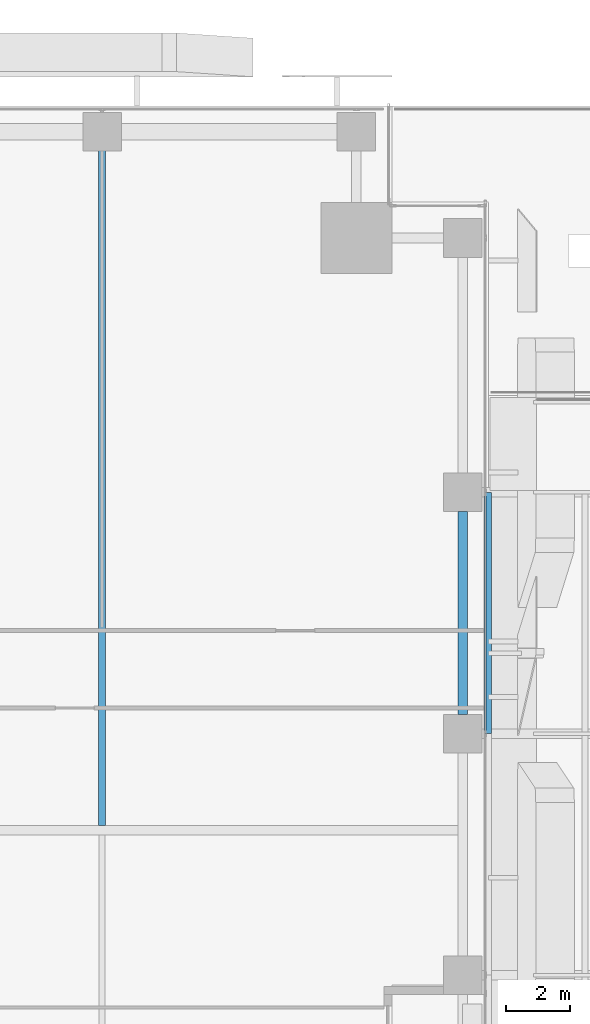
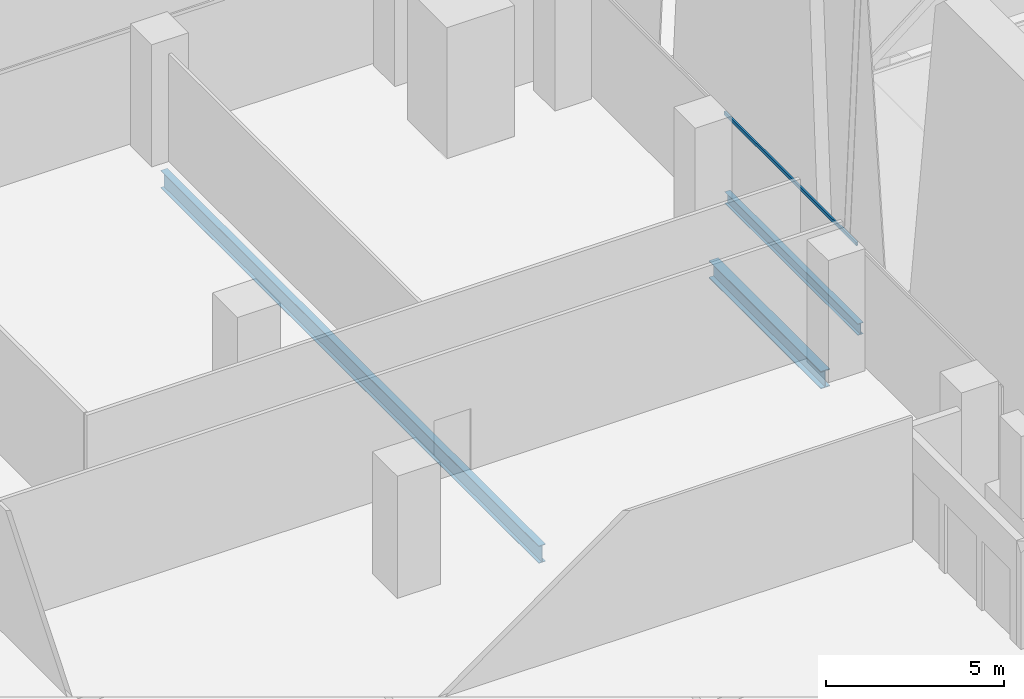
# One storey, part 19 of 46: 2 beams, 2 members, 1 element without a shape of its own.
"""IFC4 building model written with IfcOpenShell, lengths in metres."""

from ifc_helpers import new_model, si_unit, direction, frame, origin, origin_2d, place, context, subcontext, project, spatial, hollow_rectangle, i_section, extrude, source, transform, mapped, material, material_profile, profile_set, type_object, element, aggregate, save


model = new_model("IFC4")

# Units and contexts
model_context = context("Model", 3, precision=1e-05, world=origin(), true_north=direction((0.0, 1.0)))
body_context = subcontext(model_context, "Body", "Model", "MODEL_VIEW")
ifc_project = project(units=[si_unit("LENGTHUNIT", "METRE"), si_unit("AREAUNIT", "SQUARE_METRE"), si_unit("VOLUMEUNIT", "CUBIC_METRE"), si_unit("PLANEANGLEUNIT", "RADIAN"), si_unit("MASSUNIT", "GRAM", prefix="KILO")], contexts=[model_context])

# Site, building, storey
site_placement = place(None, origin())
site = spatial("IfcSite", under=ifc_project, at=site_placement, CompositionType="ELEMENT")
building_placement = place(site_placement, origin())
building = spatial("IfcBuilding", under=site, at=building_placement, Name="Khomas Fold Tower", CompositionType="ELEMENT")
storey_placement = place(building_placement, frame((0.0, 0.0, 33.0)))
storey = spatial("IfcBuildingStorey", under=building, at=storey_placement, Name="L06", CompositionType="ELEMENT", Elevation=33.0)

# Beams
ifc_material_1 = material(Name="Steel S355", Category="steel")
ifc_material_profile_1 = material_profile(ifc_material_1, i_section(OverallWidth=0.300048828125, OverallDepth=0.60009765625, WebThickness=0.015380859375, FlangeThickness=0.030029296875, at=origin_2d()), Name="HE 600 B")
ifc_profile_set_1 = profile_set([ifc_material_profile_1], Name="Steel S355")
beam_type_1 = type_object("IfcBeamType", Name="HE 600 B spandrel SB1", PredefinedType="SPANDREL", material=ifc_profile_set_1)
shared_shape_1 = source(origin(), body_context, "Body", "SweptSolid", [
    extrude(i_section(OverallWidth=0.300048828125, OverallDepth=0.60009765625, WebThickness=0.015380859375, FlangeThickness=0.030029296875, at=origin_2d()), origin(), (0.0, 0.0, 1.0), 6.2998046875),
])
beam_1_placement = place(storey_placement, frame((53.199951171875, 35.10009765625, -0.800048828125), z_axis=(0.0, 1.0, 0.0), x_axis=(-1.0, 0.0, 0.0)))
element("IfcBeam", 1, at=beam_1_placement, inside=storey, type_object=beam_type_1, Name="SB1", PredefinedType="SPANDREL", context=body_context, shape_type="MappedRepresentation", body=[
    mapped(shared_shape_1, transform((0.0, 0.0, 0.0))),
])
ifc_material_2 = material(Name="Steel S355", Category="steel")
ifc_material_profile_2 = material_profile(ifc_material_2, i_section(OverallWidth=0.219970703125, OverallDepth=0.60009765625, WebThickness=0.011962890625, FlangeThickness=0.01904296875, at=origin_2d()), Name="IPE 600")
ifc_profile_set_2 = profile_set([ifc_material_profile_2], Name="Steel S355")
beam_type_2 = type_object("IfcBeamType", Name="IPE 600 beam JB7", PredefinedType="BEAM", material=ifc_profile_set_2)
shared_shape_2 = source(origin(), body_context, "Body", "SweptSolid", [
    extrude(i_section(OverallWidth=0.219970703125, OverallDepth=0.60009765625, WebThickness=0.011962890625, FlangeThickness=0.01904296875, at=origin_2d()), origin(), (0.0, 0.0, 1.0), 21.300048828125),
])
beam_2_placement = place(storey_placement, frame((42.0, 31.64990234375, -0.800048828125), z_axis=(0.0, 1.0, 0.0), x_axis=(-1.0, 0.0, 0.0)))
element("IfcBeam", 2, at=beam_2_placement, inside=storey, type_object=beam_type_2, Name="JB7", PredefinedType="BEAM", context=body_context, shape_type="MappedRepresentation", body=[
    mapped(shared_shape_2, transform((0.0, 0.0, 0.0))),
])

# Curtain wall, member
ifc_material_3 = material(Name="Aluminium framed double glazing", Category="aluminium")
curtain_wall_type = type_object("IfcCurtainWallType", Name="SK-Unitised clear-glass wall, growing floors CW1", PredefinedType="NOTDEFINED", material=ifc_material_3)
curtain_wall_placement = place(storey_placement, origin())
curtain_wall = element("IfcCurtainWall", 3, at=curtain_wall_placement, inside=storey, type_object=curtain_wall_type, Name="CW1 run L06 03-1", PredefinedType="NOTDEFINED")
ifc_material_4 = material(Name="Aluminium", Category="aluminium")
ifc_material_profile_3 = material_profile(ifc_material_4, hollow_rectangle(XDim=0.06005859375, YDim=0.1201171875, WallThickness=0.00390625, at=origin_2d()), Name="SK-Unitised clear-glass wall, growing floors transom CW1-T")
ifc_profile_set_3 = profile_set([ifc_material_profile_3], Name="Aluminium")
member_type_1 = type_object("IfcMemberType", Name="SK-Unitised clear-glass wall, growing floors transom CW1-T", PredefinedType="USERDEFINED", material=ifc_profile_set_3)
shared_shape_3 = source(origin(), body_context, "Body", "SweptSolid", [
    extrude(hollow_rectangle(XDim=0.06005859375, YDim=0.1201171875, WallThickness=0.00390625, at=origin_2d()), origin(), (0.0, 0.0, 1.0), 7.43994140625),
])
member_1_placement = place(storey_placement, frame((53.89990234375, 34.530029296875, 3.93994140625), z_axis=(0.0, 1.0, 0.0), x_axis=(-1.0, 0.0, 0.0)))
member_1 = element("IfcMember", 4, at=member_1_placement, type_object=member_type_1, Name="CW1 transom 3", ObjectType="TRANSOM", PredefinedType="USERDEFINED", context=body_context, shape_type="MappedRepresentation", body=[
    mapped(shared_shape_3, transform((0.0, 0.0, 0.0))),
])
aggregate(curtain_wall, [member_1])

# Member
ifc_material_5 = material(Name="Steel S355", Category="steel")
ifc_material_profile_4 = material_profile(ifc_material_5, i_section(OverallWidth=0.179931640625, OverallDepth=0.39990234375, WebThickness=0.008544921875, FlangeThickness=0.013427734375, at=origin_2d()), Name="IPE 400")
ifc_profile_set_4 = profile_set([ifc_material_profile_4], Name="Steel S355")
member_type_2 = type_object("IfcMemberType", Name="IPE 400 userdefined RF-P", PredefinedType="USERDEFINED", material=ifc_profile_set_4)
shared_shape_4 = source(origin(), body_context, "Body", "SweptSolid", [
    extrude(i_section(OverallWidth=0.179931640625, OverallDepth=0.39990234375, WebThickness=0.008544921875, FlangeThickness=0.013427734375, at=origin_2d()), origin(), (0.0, 0.0, 1.0), 7.5),
])
member_2_placement = place(storey_placement, frame((54.0, 34.5, 1.0), z_axis=(0.0, 1.0, 0.0), x_axis=(-1.0, 0.0, 0.0)))
element("IfcMember", 5, at=member_2_placement, inside=storey, type_object=member_type_2, Name="Rooflight purlin", ObjectType="PURLIN", PredefinedType="USERDEFINED", context=body_context, shape_type="MappedRepresentation", body=[
    mapped(shared_shape_4, transform((0.0, 0.0, 0.0))),
])

save(model, "model.ifc")
